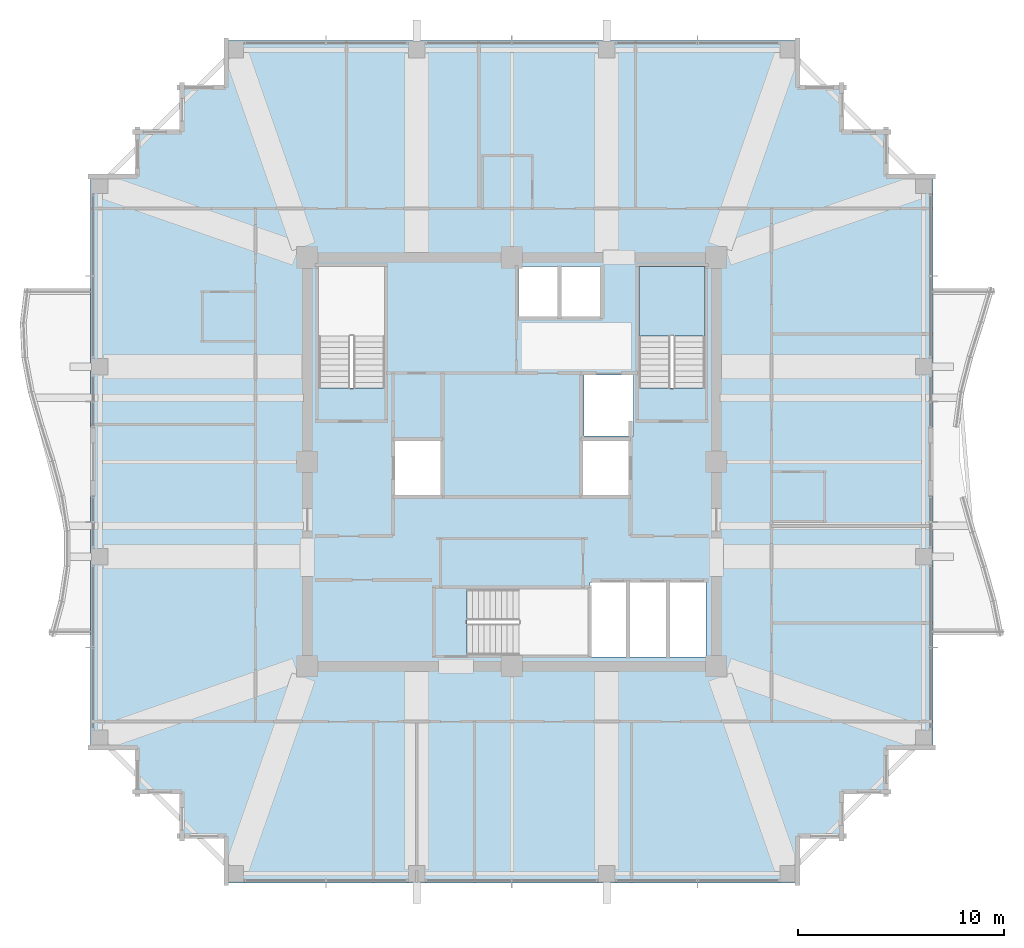
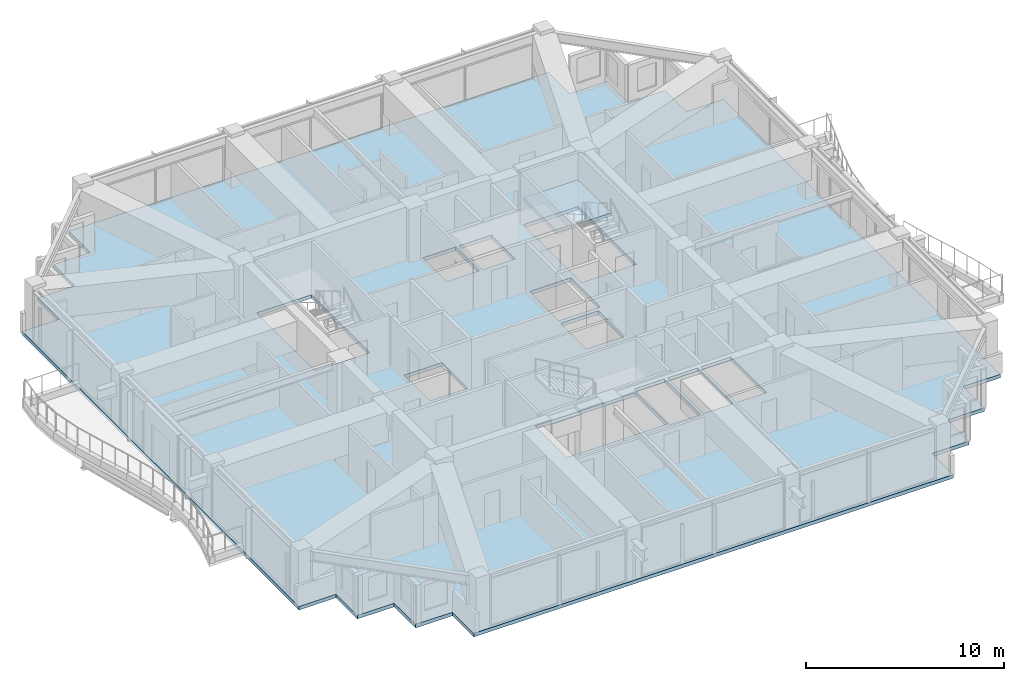
# One storey, part 25 of 35: 2 slabs, 1 element without a shape of its own.
"""IFC4 building model written with IfcOpenShell, lengths in metres."""

from ifc_helpers import new_model, si_unit, direction, frame, origin, place, context, subcontext, project, spatial, polyline, outline, extrude, material, layer, layer_set, type_object, element, aggregate, save


model = new_model("IFC4")

# Units and contexts
model_context = context("Model", 3, precision=1e-05, world=origin(), true_north=direction((0.0, 1.0)))
body_context = subcontext(model_context, "Body", "Model", "MODEL_VIEW")
ifc_project = project(units=[si_unit("LENGTHUNIT", "METRE"), si_unit("AREAUNIT", "SQUARE_METRE"), si_unit("VOLUMEUNIT", "CUBIC_METRE"), si_unit("PLANEANGLEUNIT", "RADIAN"), si_unit("MASSUNIT", "GRAM", prefix="KILO")], contexts=[model_context])

# Site, building, storey
site_placement = place(None, origin())
site = spatial("IfcSite", under=ifc_project, at=site_placement, CompositionType="ELEMENT")
building_placement = place(site_placement, origin())
building = spatial("IfcBuilding", under=site, at=building_placement, Name="Kolvaren Belvedere", CompositionType="ELEMENT")
storey_placement = place(building_placement, frame((0.0, 0.0, 203.10009765625)))
storey = spatial("IfcBuildingStorey", under=building, at=storey_placement, Name="L59", CompositionType="ELEMENT", Elevation=203.10009765625)

# Slab
ifc_material_1 = material(Name="Concrete C50/60", Category="concrete")
ifc_layer_1 = layer(ifc_material_1, 0.219970703125)
ifc_layer_set_1 = layer_set([ifc_layer_1], Name="Concrete C50/60")
slab_type_1 = type_object("IfcSlabType", Name="SL-FLR-220", PredefinedType="FLOOR", material=ifc_layer_set_1)
slab_1_placement = place(storey_placement, frame((0.0, 0.0, -0.22021484375)))
element("IfcSlab", 1, at=slab_1_placement, inside=storey, type_object=slab_type_1, Name="L59 Primary Structural Slab", PredefinedType="FLOOR", context=body_context, shape_type="SweptSolid", body=[
    extrude(outline(polyline([(-13.949951171875, -20.39990234375), (13.949951171875, -20.39990234375), (13.949951171875, -18.25), (16.10009765625, -18.25), (16.10009765625, -16.10009765625), (18.25, -16.10009765625), (18.25, -13.949951171875), (20.39990234375, -13.949951171875), (20.39990234375, 13.949951171875), (18.25, 13.949951171875), (18.25, 16.10009765625), (16.10009765625, 16.10009765625), (16.10009765625, 18.25), (13.949951171875, 18.25), (13.949951171875, 20.39990234375), (-13.949951171875, 20.39990234375), (-13.949951171875, 18.25), (-16.10009765625, 18.25), (-16.10009765625, 16.10009765625), (-18.25, 16.10009765625), (-18.25, 13.949951171875), (-20.39990234375, 13.949951171875), (-20.39990234375, -13.949951171875), (-18.25, -13.949951171875), (-18.25, -16.10009765625), (-16.10009765625, -16.10009765625), (-16.10009765625, -18.25), (-13.949951171875, -18.25), (-13.949951171875, -20.39990234375)]), holes=[polyline([(-9.35009765625, 3.580078125), (-6.159912109375, 3.580078125), (-6.159912109375, 9.449951171875), (-9.35009765625, 9.449951171875), (-9.35009765625, 3.580078125)]), polyline([(6.159912109375, 3.580078125), (9.35009765625, 3.580078125), (9.35009765625, 9.449951171875), (6.159912109375, 9.449951171875), (6.159912109375, 3.580078125)]), polyline([(-2.169921875, -9.35009765625), (3.699951171875, -9.35009765625), (3.699951171875, -6.159912109375), (-2.169921875, -6.159912109375), (-2.169921875, -9.35009765625)]), polyline([(-5.64990234375, -1.60009765625), (-3.449951171875, -1.60009765625), (-3.449951171875, 1.0), (-5.64990234375, 1.0), (-5.64990234375, -1.60009765625)]), polyline([(3.5, 1.25), (5.89990234375, 1.25), (5.89990234375, 4.199951171875), (3.5, 4.199951171875), (3.5, 1.25)]), polyline([(3.449951171875, -1.60009765625), (5.64990234375, -1.60009765625), (5.64990234375, 1.0), (3.449951171875, 1.0), (3.449951171875, -1.60009765625)]), polyline([(3.7900390625, -9.449951171875), (5.5400390625, -9.449951171875), (5.5400390625, -5.85009765625), (3.7900390625, -5.85009765625), (3.7900390625, -9.449951171875)]), polyline([(5.719970703125, -9.449951171875), (7.469970703125, -9.449951171875), (7.469970703125, -5.85009765625), (5.719970703125, -5.85009765625), (5.719970703125, -9.449951171875)]), polyline([(7.64990234375, -9.449951171875), (9.39990234375, -9.449951171875), (9.39990234375, -5.85009765625), (7.64990234375, -5.85009765625), (7.64990234375, -9.449951171875)]), polyline([(0.320068359375, 7.050048828125), (2.219970703125, 7.050048828125), (2.219970703125, 9.449951171875), (0.320068359375, 9.449951171875), (0.320068359375, 7.050048828125)]), polyline([(2.39990234375, 7.050048828125), (4.300048828125, 7.050048828125), (4.300048828125, 9.449951171875), (2.39990234375, 9.449951171875), (2.39990234375, 7.050048828125)])]), origin(), (0.0, 0.0, 1.0), 0.22021484375),
])

# Stair, slab
ifc_material_2 = material(Name="Concrete C50/60", Category="concrete")
stair_type = type_object("IfcStairType", Name="ST-CORE-1520", PredefinedType="HALF_TURN_STAIR", material=ifc_material_2)
stair_placement = place(storey_placement, origin())
stair = element("IfcStair", 2, at=stair_placement, inside=storey, type_object=stair_type, Name="L59 Protected Exit Stair ST-2", PredefinedType="HALF_TURN_STAIR")
ifc_material_3 = material(Name="Concrete C50/60", Category="concrete")
ifc_layer_2 = layer(ifc_material_3, 0.260009765625)
ifc_layer_set_2 = layer_set([ifc_layer_2], Name="Concrete C50/60")
slab_type_2 = type_object("IfcSlabType", Name="SL-LAND-260", PredefinedType="LANDING", material=ifc_layer_set_2)
slab_2_placement = place(storey_placement, frame((0.0, 0.0, 1.449951171875)))
slab_2 = element("IfcSlab", 3, at=slab_2_placement, type_object=slab_type_2, Name="ST-2 landing 1", PredefinedType="LANDING", context=body_context, shape_type="SweptSolid", body=[
    extrude(outline(polyline([(9.35009765625, 6.090087890625), (9.35009765625, 9.449951171875), (6.159912109375, 9.449951171875), (6.159912109375, 6.090087890625), (9.35009765625, 6.090087890625)])), origin(), (0.0, 0.0, 1.0), 0.199951171875),
])
aggregate(stair, [slab_2])

save(model, "model.ifc")
